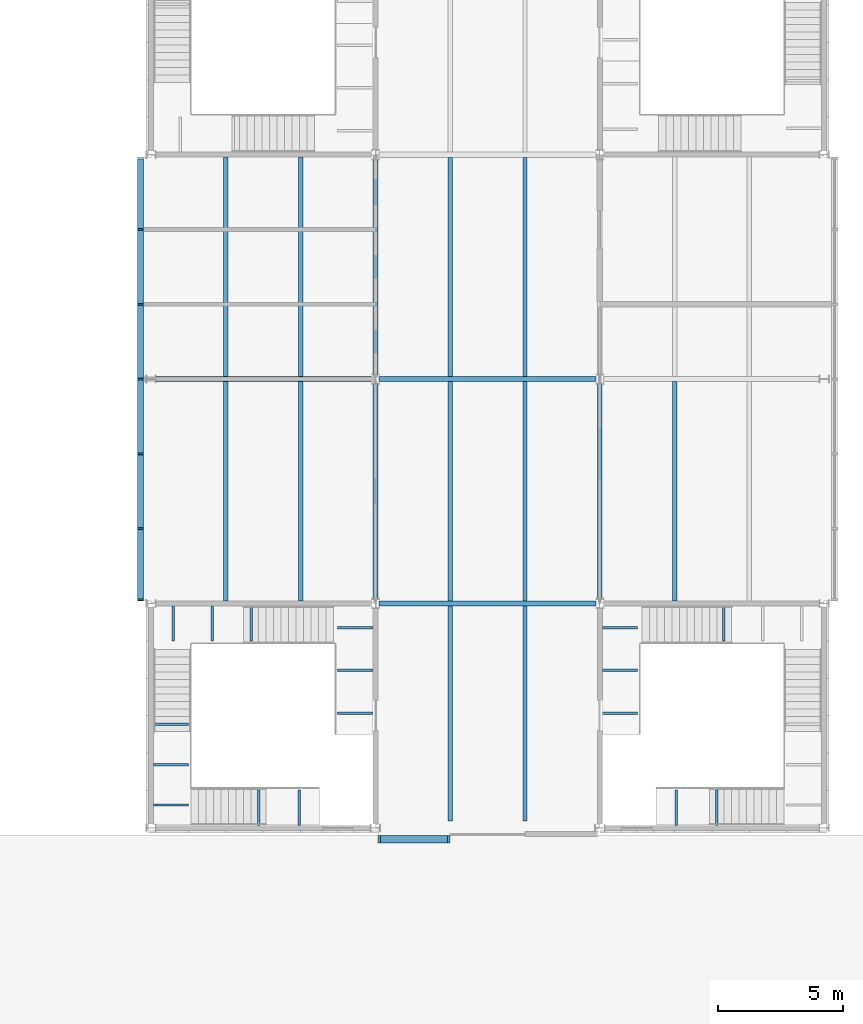
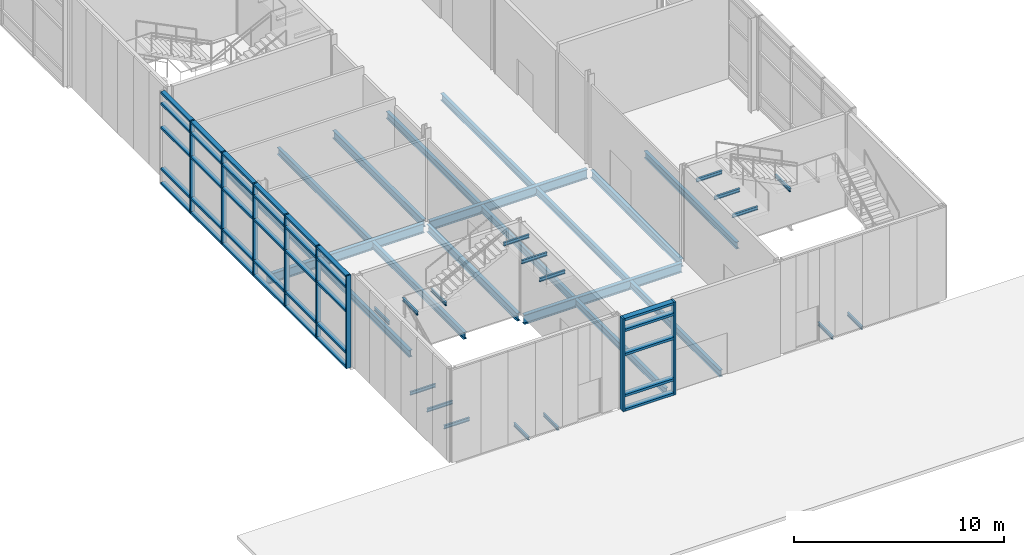
# One storey, part 8 of 56: 43 members, 34 beams, 2 elements without a shape of their own.
"""IFC4 building model written with IfcOpenShell, lengths in metres."""

from ifc_helpers import new_model, si_unit, direction, frame, origin, origin_2d, place, context, subcontext, project, spatial, rectangle, i_section, extrude, material, material_profile, profile_set, type_object, element, aggregate, save


model = new_model("IFC4")

# Units and contexts
model_context = context("Model", 3, precision=1e-05, world=origin(), true_north=direction((0.0, 1.0)))
body_context = subcontext(model_context, "Body", "Model", "MODEL_VIEW")
ifc_project = project(units=[si_unit("LENGTHUNIT", "METRE"), si_unit("AREAUNIT", "SQUARE_METRE"), si_unit("VOLUMEUNIT", "CUBIC_METRE"), si_unit("PLANEANGLEUNIT", "RADIAN"), si_unit("MASSUNIT", "GRAM", prefix="KILO")], contexts=[model_context])

# Site, building, storey
site_placement = place(None, origin())
site = spatial("IfcSite", under=ifc_project, at=site_placement, CompositionType="ELEMENT")
building_placement = place(site_placement, origin())
building = spatial("IfcBuilding", under=site, at=building_placement, Name="Azimuth Sports and Learning Centre", CompositionType="ELEMENT")
storey_placement = place(building_placement, frame((0.0, 0.0, 5.39990234375)))
storey = spatial("IfcBuildingStorey", under=building, at=storey_placement, Name="L01", CompositionType="ELEMENT", Elevation=5.39990234375)

# Beams
ifc_material_1 = material(Name="Steel S355", Category="steel")
ifc_material_profile_1 = material_profile(ifc_material_1, i_section(OverallWidth=0.10009765625, OverallDepth=0.199951171875, WebThickness=0.005615234375, FlangeThickness=0.008544921875, FilletRadius=0.011962890625, at=origin_2d()), Name="IPE 200")
ifc_profile_set_1 = profile_set([ifc_material_profile_1], Name="Steel S355")
beam_type_1 = type_object("IfcBeamType", Name="Beam IPE 200", PredefinedType="BEAM", material=ifc_profile_set_1)
for number, where, z_axis, x_axis, name in (
    (1, (76.320068359375, 0.10009765625, -0.2998046875), (0.0, 1.0, 0.0), (-1.0, 0.0, 0.0), "Landing bracket ST1 L01 993"),
    (2, (77.93994140625, 0.10009765625, -0.2998046875), (0.0, 1.0, 0.0), (-1.0, 0.0, 0.0), "Landing bracket ST1 L01 994"),
    (3, (72.10009765625, 0.918212890625, 1.35009765625), (1.0, 0.0, 0.0), (0.0, 1.0, 0.0), "Landing bracket ST1 L01 995"),
    (4, (72.10009765625, 2.534912109375, 1.35009765625), (1.0, 0.0, 0.0), (0.0, 1.0, 0.0), "Landing bracket ST1 L01 996"),
    (5, (72.10009765625, 4.151611328125, 1.35009765625), (1.0, 0.0, 0.0), (0.0, 1.0, 0.0), "Landing bracket ST1 L01 997"),
    (6, (72.893310546875, 8.89990234375, 3.150146484375), (0.0, -1.0, 0.0), (1.0, 0.0, 0.0), "Landing bracket ST1 L01 998"),
    (7, (74.4599609375, 8.89990234375, 3.150146484375), (0.0, -1.0, 0.0), (1.0, 0.0, 0.0), "Landing bracket ST1 L01 999"),
    (8, (76.026611328125, 8.89990234375, 3.150146484375), (0.0, -1.0, 0.0), (1.0, 0.0, 0.0), "Landing bracket ST1 L01 1000"),
    (9, (80.89990234375, 4.606689453125, 5.10009765625), (-1.0, 0.0, 0.0), (0.0, -1.0, 0.0), "Landing bracket ST1 L01 1001"),
    (10, (80.89990234375, 6.320068359375, 5.10009765625), (-1.0, 0.0, 0.0), (0.0, -1.0, 0.0), "Landing bracket ST1 L01 1002"),
    (11, (80.89990234375, 8.033447265625, 5.10009765625), (-1.0, 0.0, 0.0), (0.0, -1.0, 0.0), "Landing bracket ST1 L01 1003"),
    (12, (93.06005859375, 0.10009765625, -0.2998046875), (0.0, 1.0, 0.0), (-1.0, 0.0, 0.0), "Landing bracket ST2 L01 1030"),
    (13, (94.679931640625, 0.10009765625, -0.2998046875), (0.0, 1.0, 0.0), (-1.0, 0.0, 0.0), "Landing bracket ST2 L01 1031"),
    (14, (94.973388671875, 8.89990234375, 3.150146484375), (0.0, -1.0, 0.0), (1.0, 0.0, 0.0), "Landing bracket ST2 L01 1035"),
    (15, (90.10009765625, 4.606689453125, 5.10009765625), (1.0, 0.0, 0.0), (0.0, 1.0, 0.0), "Landing bracket ST2 L01 1038"),
    (16, (90.10009765625, 6.320068359375, 5.10009765625), (1.0, 0.0, 0.0), (0.0, 1.0, 0.0), "Landing bracket ST2 L01 1039"),
    (17, (90.10009765625, 8.033447265625, 5.10009765625), (1.0, 0.0, 0.0), (0.0, 1.0, 0.0), "Landing bracket ST2 L01 1040"),
):
    element("IfcBeam", number, at=place(storey_placement, frame(where, z_axis=z_axis, x_axis=x_axis)), inside=storey, type_object=beam_type_1, Name=name, PredefinedType="BEAM", context=body_context, shape_type="SweptSolid", body=[
        extrude(i_section(OverallWidth=0.10009765625, OverallDepth=0.199951171875, WebThickness=0.005615234375, FlangeThickness=0.008544921875, FilletRadius=0.011962890625, at=origin_2d()), origin(), (0.0, 0.0, 1.0), 1.409912109375),
    ])
ifc_material_2 = material(Name="Steel S355", Category="steel")
ifc_material_profile_2 = material_profile(ifc_material_2, i_section(OverallWidth=0.18994140625, OverallDepth=0.449951171875, WebThickness=0.009521484375, FlangeThickness=0.0146484375, FilletRadius=0.02099609375, at=origin_2d()), Name="IPE 450")
ifc_profile_set_2 = profile_set([ifc_material_profile_2], Name="Steel S355")
beam_type_2 = type_object("IfcBeamType", Name="Beam IPE 450", PredefinedType="BEAM", material=ifc_profile_set_2)
for number, where, z_axis, x_axis, name in (
    (18, (81.0, 9.199951171875, -0.375), (0.0, 1.0, 0.0), (-1.0, 0.0, 0.0), "Beam L01 ST 24"),
    (19, (81.0, 18.199951171875, -0.375), (0.0, 1.0, 0.0), (-1.0, 0.0, 0.0), "Beam L01 ST 25"),
    (20, (90.0, 9.199951171875, -0.375), (0.0, 1.0, 0.0), (-1.0, 0.0, 0.0), "Beam L01 ST 30"),
):
    element("IfcBeam", number, at=place(storey_placement, frame(where, z_axis=z_axis, x_axis=x_axis)), inside=storey, type_object=beam_type_2, Name=name, PredefinedType="BEAM", context=body_context, shape_type="SweptSolid", body=[
        extrude(i_section(OverallWidth=0.18994140625, OverallDepth=0.449951171875, WebThickness=0.009521484375, FlangeThickness=0.0146484375, FilletRadius=0.02099609375, at=origin_2d()), origin(), (0.0, 0.0, 1.0), 8.60009765625),
    ])
ifc_material_3 = material(Name="Steel S355", Category="steel")
ifc_material_profile_3 = material_profile(ifc_material_3, i_section(OverallWidth=0.2099609375, OverallDepth=0.550048828125, WebThickness=0.010986328125, FlangeThickness=0.01708984375, FilletRadius=0.02392578125, at=origin_2d()), Name="IPE 550")
ifc_profile_set_3 = profile_set([ifc_material_profile_3], Name="Steel S355")
beam_type_3 = type_object("IfcBeamType", Name="Beam IPE 550", PredefinedType="BEAM", material=ifc_profile_set_3)
beam_1_placement = place(storey_placement, frame((81.14990234375, 9.0, -0.4248046875), z_axis=(1.0, 0.0, 0.0), x_axis=(0.0, 1.0, 0.0)))
element("IfcBeam", 21, at=beam_1_placement, inside=storey, type_object=beam_type_3, Name="Beam L01 ST 1", PredefinedType="BEAM", context=body_context, shape_type="SweptSolid", body=[
    extrude(i_section(OverallWidth=0.2099609375, OverallDepth=0.550048828125, WebThickness=0.010986328125, FlangeThickness=0.01708984375, FilletRadius=0.02392578125, at=origin_2d()), origin(), (0.0, 0.0, 1.0), 8.7001953125),
])
beam_2_placement = place(storey_placement, frame((72.199951171875, 18.0, -0.4248046875), z_axis=(1.0, 0.0, 0.0), x_axis=(0.0, 1.0, 0.0)))
element("IfcBeam", 22, at=beam_2_placement, inside=storey, type_object=beam_type_3, Name="Beam L01 ST 2", PredefinedType="BEAM", context=body_context, shape_type="SweptSolid", body=[
    extrude(i_section(OverallWidth=0.2099609375, OverallDepth=0.550048828125, WebThickness=0.010986328125, FlangeThickness=0.01708984375, FilletRadius=0.02392578125, at=origin_2d()), origin(), (0.0, 0.0, 1.0), 8.650146484375),
])
beam_3_placement = place(storey_placement, frame((81.14990234375, 18.0, -0.4248046875), z_axis=(1.0, 0.0, 0.0), x_axis=(0.0, 1.0, 0.0)))
element("IfcBeam", 23, at=beam_3_placement, inside=storey, type_object=beam_type_3, Name="Beam L01 ST 3", PredefinedType="BEAM", context=body_context, shape_type="SweptSolid", body=[
    extrude(i_section(OverallWidth=0.2099609375, OverallDepth=0.550048828125, WebThickness=0.010986328125, FlangeThickness=0.01708984375, FilletRadius=0.02392578125, at=origin_2d()), origin(), (0.0, 0.0, 1.0), 8.7001953125),
])
ifc_material_4 = material(Name="Steel S355", Category="steel")
ifc_material_profile_4 = material_profile(ifc_material_4, i_section(OverallWidth=0.179931640625, OverallDepth=0.39990234375, WebThickness=0.008544921875, FlangeThickness=0.013427734375, FilletRadius=0.02099609375, at=origin_2d()), Name="IPE 400")
ifc_profile_set_4 = profile_set([ifc_material_profile_4], Name="Steel S355")
beam_type_4 = type_object("IfcBeamType", Name="Joist IPE 400", PredefinedType="JOIST", material=ifc_profile_set_4)
for number, where, z_axis, x_axis, name in (
    (24, (75.0, 9.10009765625, -0.349853515625), (0.0, 1.0, 0.0), (-1.0, 0.0, 0.0), "Joist L01 ST 39"),
    (25, (75.0, 18.10498046875, -0.349853515625), (0.0, 1.0, 0.0), (-1.0, 0.0, 0.0), "Joist L01 ST 40"),
    (26, (78.0, 9.10009765625, -0.349853515625), (0.0, 1.0, 0.0), (-1.0, 0.0, 0.0), "Joist L01 ST 47"),
    (27, (78.0, 18.10498046875, -0.349853515625), (0.0, 1.0, 0.0), (-1.0, 0.0, 0.0), "Joist L01 ST 48"),
):
    element("IfcBeam", number, at=place(storey_placement, frame(where, z_axis=z_axis, x_axis=x_axis)), inside=storey, type_object=beam_type_4, Name=name, PredefinedType="JOIST", context=body_context, shape_type="SweptSolid", body=[
        extrude(i_section(OverallWidth=0.179931640625, OverallDepth=0.39990234375, WebThickness=0.008544921875, FlangeThickness=0.013427734375, FilletRadius=0.02099609375, at=origin_2d()), origin(), (0.0, 0.0, 1.0), 8.794921875),
    ])
beam_4_placement = place(storey_placement, frame((84.0, 0.27490234375, -0.349853515625), z_axis=(0.0, 1.0, 0.0), x_axis=(-1.0, 0.0, 0.0)))
element("IfcBeam", 28, at=beam_4_placement, inside=storey, type_object=beam_type_4, Name="Joist L01 ST 55", PredefinedType="JOIST", context=body_context, shape_type="SweptSolid", body=[
    extrude(i_section(OverallWidth=0.179931640625, OverallDepth=0.39990234375, WebThickness=0.008544921875, FlangeThickness=0.013427734375, FilletRadius=0.02099609375, at=origin_2d()), origin(), (0.0, 0.0, 1.0), 8.6201171875),
])
for number, where, z_axis, x_axis, name in (
    (29, (84.0, 9.10498046875, -0.349853515625), (0.0, 1.0, 0.0), (-1.0, 0.0, 0.0), "Joist L01 ST 56"),
    (30, (84.0, 18.10498046875, -0.349853515625), (0.0, 1.0, 0.0), (-1.0, 0.0, 0.0), "Joist L01 ST 57"),
):
    element("IfcBeam", number, at=place(storey_placement, frame(where, z_axis=z_axis, x_axis=x_axis)), inside=storey, type_object=beam_type_4, Name=name, PredefinedType="JOIST", context=body_context, shape_type="SweptSolid", body=[
        extrude(i_section(OverallWidth=0.179931640625, OverallDepth=0.39990234375, WebThickness=0.008544921875, FlangeThickness=0.013427734375, FilletRadius=0.02099609375, at=origin_2d()), origin(), (0.0, 0.0, 1.0), 8.7900390625),
    ])
beam_5_placement = place(storey_placement, frame((87.0, 0.27490234375, -0.349853515625), z_axis=(0.0, 1.0, 0.0), x_axis=(-1.0, 0.0, 0.0)))
element("IfcBeam", 31, at=beam_5_placement, inside=storey, type_object=beam_type_4, Name="Joist L01 ST 61", PredefinedType="JOIST", context=body_context, shape_type="SweptSolid", body=[
    extrude(i_section(OverallWidth=0.179931640625, OverallDepth=0.39990234375, WebThickness=0.008544921875, FlangeThickness=0.013427734375, FilletRadius=0.02099609375, at=origin_2d()), origin(), (0.0, 0.0, 1.0), 8.6201171875),
])
for number, where, z_axis, x_axis, name in (
    (32, (87.0, 9.10498046875, -0.349853515625), (0.0, 1.0, 0.0), (-1.0, 0.0, 0.0), "Joist L01 ST 62"),
    (33, (87.0, 18.10498046875, -0.349853515625), (0.0, 1.0, 0.0), (-1.0, 0.0, 0.0), "Joist L01 ST 63"),
):
    element("IfcBeam", number, at=place(storey_placement, frame(where, z_axis=z_axis, x_axis=x_axis)), inside=storey, type_object=beam_type_4, Name=name, PredefinedType="JOIST", context=body_context, shape_type="SweptSolid", body=[
        extrude(i_section(OverallWidth=0.179931640625, OverallDepth=0.39990234375, WebThickness=0.008544921875, FlangeThickness=0.013427734375, FilletRadius=0.02099609375, at=origin_2d()), origin(), (0.0, 0.0, 1.0), 8.7900390625),
    ])
beam_6_placement = place(storey_placement, frame((93.0, 9.10009765625, -0.349853515625), z_axis=(0.0, 1.0, 0.0), x_axis=(-1.0, 0.0, 0.0)))
element("IfcBeam", 34, at=beam_6_placement, inside=storey, type_object=beam_type_4, Name="Joist L01 ST 67", PredefinedType="JOIST", context=body_context, shape_type="SweptSolid", body=[
    extrude(i_section(OverallWidth=0.179931640625, OverallDepth=0.39990234375, WebThickness=0.008544921875, FlangeThickness=0.013427734375, FilletRadius=0.02099609375, at=origin_2d()), origin(), (0.0, 0.0, 1.0), 8.794921875),
])

# Curtain wall, members
ifc_material_5 = material(Name="Aluminium and glass", Category="aluminium")
curtain_wall_type_1 = type_object("IfcCurtainWallType", Name="Curtain wall podium front 300", PredefinedType="NOTDEFINED", material=ifc_material_5)
curtain_wall_1_placement = place(storey_placement, origin())
curtain_wall_1 = element("IfcCurtainWall", 35, at=curtain_wall_1_placement, inside=storey, type_object=curtain_wall_type_1, Name="Curtain wall CW01-005", PredefinedType="NOTDEFINED")
ifc_material_6 = material(Name="Aluminium", Category="aluminium")
ifc_material_profile_5 = material_profile(ifc_material_6, rectangle(XDim=0.300048828125, YDim=0.10009765625, at=origin_2d()), Name="Mullion 100x300")
ifc_profile_set_5 = profile_set([ifc_material_profile_5], Name="Aluminium")
member_type_1 = type_object("IfcMemberType", Name="Mullion 100x300", PredefinedType="MULLION", material=ifc_profile_set_5)
member_1_placement = place(storey_placement, frame((81.14990234375, -0.449951171875, 0.0), z_axis=(0.0, 0.0, 1.0), x_axis=(0.0, 1.0, 0.0)))
member_1 = element("IfcMember", 36, at=member_1_placement, type_object=member_type_1, Name="CW01-005 mullion 1", PredefinedType="MULLION", context=body_context, shape_type="SweptSolid", body=[
    extrude(rectangle(XDim=0.300048828125, YDim=0.10009765625, at=origin_2d()), origin(), (0.0, 0.0, 1.0), 5.400146484375),
])
member_2_placement = place(storey_placement, frame((83.949951171875, -0.449951171875, 0.0), z_axis=(0.0, 0.0, 1.0), x_axis=(0.0, 1.0, 0.0)))
member_2 = element("IfcMember", 37, at=member_2_placement, type_object=member_type_1, Name="CW01-005 mullion 2", PredefinedType="MULLION", context=body_context, shape_type="SweptSolid", body=[
    extrude(rectangle(XDim=0.300048828125, YDim=0.10009765625, at=origin_2d()), origin(), (0.0, 0.0, 1.0), 5.400146484375),
])

ifc_material_7 = material(Name="Aluminium and glass", Category="aluminium")
curtain_wall_type_2 = type_object("IfcCurtainWallType", Name="Curtain wall podium stem 240", PredefinedType="NOTDEFINED", material=ifc_material_7)
curtain_wall_2_placement = place(storey_placement, origin())
curtain_wall_2 = element("IfcCurtainWall", 38, at=curtain_wall_2_placement, inside=storey, type_object=curtain_wall_type_2, Name="Curtain wall CW01-004", PredefinedType="NOTDEFINED")
ifc_material_8 = material(Name="Aluminium", Category="aluminium")
ifc_material_profile_6 = material_profile(ifc_material_8, rectangle(XDim=0.239990234375, YDim=0.080078125, at=origin_2d()), Name="Mullion 80x240")
ifc_profile_set_6 = profile_set([ifc_material_profile_6], Name="Aluminium")
member_type_2 = type_object("IfcMemberType", Name="Mullion 80x240", PredefinedType="MULLION", material=ifc_profile_set_6)
member_3_placement = place(storey_placement, frame((71.580078125, 24.0, 0.0), z_axis=(0.0, 0.0, 1.0), x_axis=(1.0, 0.0, 0.0)))
member_3 = element("IfcMember", 39, at=member_3_placement, type_object=member_type_2, Name="CW01-004 mullion 2", PredefinedType="MULLION", context=body_context, shape_type="SweptSolid", body=[
    extrude(rectangle(XDim=0.239990234375, YDim=0.080078125, at=origin_2d()), origin(), (0.0, 0.0, 1.0), 5.400146484375),
])
member_4_placement = place(storey_placement, frame((71.580078125, 21.0, 0.0), z_axis=(0.0, 0.0, 1.0), x_axis=(1.0, 0.0, 0.0)))
member_4 = element("IfcMember", 40, at=member_4_placement, type_object=member_type_2, Name="CW01-004 mullion 3", PredefinedType="MULLION", context=body_context, shape_type="SweptSolid", body=[
    extrude(rectangle(XDim=0.239990234375, YDim=0.080078125, at=origin_2d()), origin(), (0.0, 0.0, 1.0), 5.400146484375),
])
member_5_placement = place(storey_placement, frame((71.580078125, 18.0, 0.0), z_axis=(0.0, 0.0, 1.0), x_axis=(1.0, 0.0, 0.0)))
member_5 = element("IfcMember", 41, at=member_5_placement, type_object=member_type_2, Name="CW01-004 mullion 4", PredefinedType="MULLION", context=body_context, shape_type="SweptSolid", body=[
    extrude(rectangle(XDim=0.239990234375, YDim=0.080078125, at=origin_2d()), origin(), (0.0, 0.0, 1.0), 5.400146484375),
])
member_6_placement = place(storey_placement, frame((71.580078125, 15.0, 0.0), z_axis=(0.0, 0.0, 1.0), x_axis=(1.0, 0.0, 0.0)))
member_6 = element("IfcMember", 42, at=member_6_placement, type_object=member_type_2, Name="CW01-004 mullion 5", PredefinedType="MULLION", context=body_context, shape_type="SweptSolid", body=[
    extrude(rectangle(XDim=0.239990234375, YDim=0.080078125, at=origin_2d()), origin(), (0.0, 0.0, 1.0), 5.400146484375),
])
member_7_placement = place(storey_placement, frame((71.580078125, 12.0, 0.0), z_axis=(0.0, 0.0, 1.0), x_axis=(1.0, 0.0, 0.0)))
member_7 = element("IfcMember", 43, at=member_7_placement, type_object=member_type_2, Name="CW01-004 mullion 6", PredefinedType="MULLION", context=body_context, shape_type="SweptSolid", body=[
    extrude(rectangle(XDim=0.239990234375, YDim=0.080078125, at=origin_2d()), origin(), (0.0, 0.0, 1.0), 5.400146484375),
])
member_8_placement = place(storey_placement, frame((71.580078125, 9.139892578125, 0.0), z_axis=(0.0, 0.0, 1.0), x_axis=(1.0, 0.0, 0.0)))
member_8 = element("IfcMember", 44, at=member_8_placement, type_object=member_type_2, Name="CW01-004 mullion 7", PredefinedType="MULLION", context=body_context, shape_type="SweptSolid", body=[
    extrude(rectangle(XDim=0.239990234375, YDim=0.080078125, at=origin_2d()), origin(), (0.0, 0.0, 1.0), 5.400146484375),
])
ifc_material_9 = material(Name="Aluminium", Category="aluminium")
ifc_material_profile_7 = material_profile(ifc_material_9, rectangle(XDim=0.239990234375, YDim=0.1201171875, at=origin_2d()), Name="Transom 120x240")
ifc_profile_set_7 = profile_set([ifc_material_profile_7], Name="Aluminium")
member_type_3 = type_object("IfcMemberType", Name="Transom 120x240", PredefinedType="USERDEFINED", material=ifc_profile_set_7)
member_9_placement = place(storey_placement, frame((71.580078125, 26.820068359375, 0.06005859375), z_axis=(0.0, -1.0, 0.0), x_axis=(1.0, 0.0, 0.0)))
member_9 = element("IfcMember", 45, at=member_9_placement, type_object=member_type_3, Name="CW01-004 transom 1.1", ObjectType="TRANSOM", PredefinedType="USERDEFINED", context=body_context, shape_type="SweptSolid", body=[
    extrude(rectangle(XDim=0.239990234375, YDim=0.1201171875, at=origin_2d()), origin(), (0.0, 0.0, 1.0), 2.780029296875),
])
member_10_placement = place(storey_placement, frame((71.580078125, 26.820068359375, 0.900146484375), z_axis=(0.0, -1.0, 0.0), x_axis=(1.0, 0.0, 0.0)))
member_10 = element("IfcMember", 46, at=member_10_placement, type_object=member_type_3, Name="CW01-004 transom 1.2", ObjectType="TRANSOM", PredefinedType="USERDEFINED", context=body_context, shape_type="SweptSolid", body=[
    extrude(rectangle(XDim=0.239990234375, YDim=0.1201171875, at=origin_2d()), origin(), (0.0, 0.0, 1.0), 2.780029296875),
])
member_11_placement = place(storey_placement, frame((71.580078125, 26.820068359375, 3.300048828125), z_axis=(0.0, -1.0, 0.0), x_axis=(1.0, 0.0, 0.0)))
member_11 = element("IfcMember", 47, at=member_11_placement, type_object=member_type_3, Name="CW01-004 transom 1.3", ObjectType="TRANSOM", PredefinedType="USERDEFINED", context=body_context, shape_type="SweptSolid", body=[
    extrude(rectangle(XDim=0.239990234375, YDim=0.1201171875, at=origin_2d()), origin(), (0.0, 0.0, 1.0), 2.780029296875),
])
member_12_placement = place(storey_placement, frame((71.580078125, 26.820068359375, 4.7001953125), z_axis=(0.0, -1.0, 0.0), x_axis=(1.0, 0.0, 0.0)))
member_12 = element("IfcMember", 48, at=member_12_placement, type_object=member_type_3, Name="CW01-004 transom 1.4", ObjectType="TRANSOM", PredefinedType="USERDEFINED", context=body_context, shape_type="SweptSolid", body=[
    extrude(rectangle(XDim=0.239990234375, YDim=0.1201171875, at=origin_2d()), origin(), (0.0, 0.0, 1.0), 2.780029296875),
])
member_13_placement = place(storey_placement, frame((71.580078125, 26.820068359375, 5.340087890625), z_axis=(0.0, -1.0, 0.0), x_axis=(1.0, 0.0, 0.0)))
member_13 = element("IfcMember", 49, at=member_13_placement, type_object=member_type_3, Name="CW01-004 transom 1.5", ObjectType="TRANSOM", PredefinedType="USERDEFINED", context=body_context, shape_type="SweptSolid", body=[
    extrude(rectangle(XDim=0.239990234375, YDim=0.1201171875, at=origin_2d()), origin(), (0.0, 0.0, 1.0), 2.780029296875),
])
member_14_placement = place(storey_placement, frame((71.580078125, 23.9599609375, 0.06005859375), z_axis=(0.0, -1.0, 0.0), x_axis=(1.0, 0.0, 0.0)))
member_14 = element("IfcMember", 50, at=member_14_placement, type_object=member_type_3, Name="CW01-004 transom 2.1", ObjectType="TRANSOM", PredefinedType="USERDEFINED", context=body_context, shape_type="SweptSolid", body=[
    extrude(rectangle(XDim=0.239990234375, YDim=0.1201171875, at=origin_2d()), origin(), (0.0, 0.0, 1.0), 2.919921875),
])
member_15_placement = place(storey_placement, frame((71.580078125, 23.9599609375, 0.900146484375), z_axis=(0.0, -1.0, 0.0), x_axis=(1.0, 0.0, 0.0)))
member_15 = element("IfcMember", 51, at=member_15_placement, type_object=member_type_3, Name="CW01-004 transom 2.2", ObjectType="TRANSOM", PredefinedType="USERDEFINED", context=body_context, shape_type="SweptSolid", body=[
    extrude(rectangle(XDim=0.239990234375, YDim=0.1201171875, at=origin_2d()), origin(), (0.0, 0.0, 1.0), 2.919921875),
])
member_16_placement = place(storey_placement, frame((71.580078125, 23.9599609375, 3.300048828125), z_axis=(0.0, -1.0, 0.0), x_axis=(1.0, 0.0, 0.0)))
member_16 = element("IfcMember", 52, at=member_16_placement, type_object=member_type_3, Name="CW01-004 transom 2.3", ObjectType="TRANSOM", PredefinedType="USERDEFINED", context=body_context, shape_type="SweptSolid", body=[
    extrude(rectangle(XDim=0.239990234375, YDim=0.1201171875, at=origin_2d()), origin(), (0.0, 0.0, 1.0), 2.919921875),
])
member_17_placement = place(storey_placement, frame((71.580078125, 23.9599609375, 4.7001953125), z_axis=(0.0, -1.0, 0.0), x_axis=(1.0, 0.0, 0.0)))
member_17 = element("IfcMember", 53, at=member_17_placement, type_object=member_type_3, Name="CW01-004 transom 2.4", ObjectType="TRANSOM", PredefinedType="USERDEFINED", context=body_context, shape_type="SweptSolid", body=[
    extrude(rectangle(XDim=0.239990234375, YDim=0.1201171875, at=origin_2d()), origin(), (0.0, 0.0, 1.0), 2.919921875),
])
member_18_placement = place(storey_placement, frame((71.580078125, 23.9599609375, 5.340087890625), z_axis=(0.0, -1.0, 0.0), x_axis=(1.0, 0.0, 0.0)))
member_18 = element("IfcMember", 54, at=member_18_placement, type_object=member_type_3, Name="CW01-004 transom 2.5", ObjectType="TRANSOM", PredefinedType="USERDEFINED", context=body_context, shape_type="SweptSolid", body=[
    extrude(rectangle(XDim=0.239990234375, YDim=0.1201171875, at=origin_2d()), origin(), (0.0, 0.0, 1.0), 2.919921875),
])
member_19_placement = place(storey_placement, frame((71.580078125, 20.9599609375, 0.06005859375), z_axis=(0.0, -1.0, 0.0), x_axis=(1.0, 0.0, 0.0)))
member_19 = element("IfcMember", 55, at=member_19_placement, type_object=member_type_3, Name="CW01-004 transom 3.1", ObjectType="TRANSOM", PredefinedType="USERDEFINED", context=body_context, shape_type="SweptSolid", body=[
    extrude(rectangle(XDim=0.239990234375, YDim=0.1201171875, at=origin_2d()), origin(), (0.0, 0.0, 1.0), 2.919921875),
])
member_20_placement = place(storey_placement, frame((71.580078125, 20.9599609375, 0.900146484375), z_axis=(0.0, -1.0, 0.0), x_axis=(1.0, 0.0, 0.0)))
member_20 = element("IfcMember", 56, at=member_20_placement, type_object=member_type_3, Name="CW01-004 transom 3.2", ObjectType="TRANSOM", PredefinedType="USERDEFINED", context=body_context, shape_type="SweptSolid", body=[
    extrude(rectangle(XDim=0.239990234375, YDim=0.1201171875, at=origin_2d()), origin(), (0.0, 0.0, 1.0), 2.919921875),
])
member_21_placement = place(storey_placement, frame((71.580078125, 20.9599609375, 3.300048828125), z_axis=(0.0, -1.0, 0.0), x_axis=(1.0, 0.0, 0.0)))
member_21 = element("IfcMember", 57, at=member_21_placement, type_object=member_type_3, Name="CW01-004 transom 3.3", ObjectType="TRANSOM", PredefinedType="USERDEFINED", context=body_context, shape_type="SweptSolid", body=[
    extrude(rectangle(XDim=0.239990234375, YDim=0.1201171875, at=origin_2d()), origin(), (0.0, 0.0, 1.0), 2.919921875),
])
member_22_placement = place(storey_placement, frame((71.580078125, 20.9599609375, 4.7001953125), z_axis=(0.0, -1.0, 0.0), x_axis=(1.0, 0.0, 0.0)))
member_22 = element("IfcMember", 58, at=member_22_placement, type_object=member_type_3, Name="CW01-004 transom 3.4", ObjectType="TRANSOM", PredefinedType="USERDEFINED", context=body_context, shape_type="SweptSolid", body=[
    extrude(rectangle(XDim=0.239990234375, YDim=0.1201171875, at=origin_2d()), origin(), (0.0, 0.0, 1.0), 2.919921875),
])
member_23_placement = place(storey_placement, frame((71.580078125, 20.9599609375, 5.340087890625), z_axis=(0.0, -1.0, 0.0), x_axis=(1.0, 0.0, 0.0)))
member_23 = element("IfcMember", 59, at=member_23_placement, type_object=member_type_3, Name="CW01-004 transom 3.5", ObjectType="TRANSOM", PredefinedType="USERDEFINED", context=body_context, shape_type="SweptSolid", body=[
    extrude(rectangle(XDim=0.239990234375, YDim=0.1201171875, at=origin_2d()), origin(), (0.0, 0.0, 1.0), 2.919921875),
])
member_24_placement = place(storey_placement, frame((71.580078125, 17.9599609375, 0.06005859375), z_axis=(0.0, -1.0, 0.0), x_axis=(1.0, 0.0, 0.0)))
member_24 = element("IfcMember", 60, at=member_24_placement, type_object=member_type_3, Name="CW01-004 transom 4.1", ObjectType="TRANSOM", PredefinedType="USERDEFINED", context=body_context, shape_type="SweptSolid", body=[
    extrude(rectangle(XDim=0.239990234375, YDim=0.1201171875, at=origin_2d()), origin(), (0.0, 0.0, 1.0), 2.919921875),
])
member_25_placement = place(storey_placement, frame((71.580078125, 17.9599609375, 0.900146484375), z_axis=(0.0, -1.0, 0.0), x_axis=(1.0, 0.0, 0.0)))
member_25 = element("IfcMember", 61, at=member_25_placement, type_object=member_type_3, Name="CW01-004 transom 4.2", ObjectType="TRANSOM", PredefinedType="USERDEFINED", context=body_context, shape_type="SweptSolid", body=[
    extrude(rectangle(XDim=0.239990234375, YDim=0.1201171875, at=origin_2d()), origin(), (0.0, 0.0, 1.0), 2.919921875),
])
member_26_placement = place(storey_placement, frame((71.580078125, 17.9599609375, 3.300048828125), z_axis=(0.0, -1.0, 0.0), x_axis=(1.0, 0.0, 0.0)))
member_26 = element("IfcMember", 62, at=member_26_placement, type_object=member_type_3, Name="CW01-004 transom 4.3", ObjectType="TRANSOM", PredefinedType="USERDEFINED", context=body_context, shape_type="SweptSolid", body=[
    extrude(rectangle(XDim=0.239990234375, YDim=0.1201171875, at=origin_2d()), origin(), (0.0, 0.0, 1.0), 2.919921875),
])
member_27_placement = place(storey_placement, frame((71.580078125, 17.9599609375, 4.7001953125), z_axis=(0.0, -1.0, 0.0), x_axis=(1.0, 0.0, 0.0)))
member_27 = element("IfcMember", 63, at=member_27_placement, type_object=member_type_3, Name="CW01-004 transom 4.4", ObjectType="TRANSOM", PredefinedType="USERDEFINED", context=body_context, shape_type="SweptSolid", body=[
    extrude(rectangle(XDim=0.239990234375, YDim=0.1201171875, at=origin_2d()), origin(), (0.0, 0.0, 1.0), 2.919921875),
])
member_28_placement = place(storey_placement, frame((71.580078125, 17.9599609375, 5.340087890625), z_axis=(0.0, -1.0, 0.0), x_axis=(1.0, 0.0, 0.0)))
member_28 = element("IfcMember", 64, at=member_28_placement, type_object=member_type_3, Name="CW01-004 transom 4.5", ObjectType="TRANSOM", PredefinedType="USERDEFINED", context=body_context, shape_type="SweptSolid", body=[
    extrude(rectangle(XDim=0.239990234375, YDim=0.1201171875, at=origin_2d()), origin(), (0.0, 0.0, 1.0), 2.919921875),
])
member_29_placement = place(storey_placement, frame((71.580078125, 14.9599609375, 0.06005859375), z_axis=(0.0, -1.0, 0.0), x_axis=(1.0, 0.0, 0.0)))
member_29 = element("IfcMember", 65, at=member_29_placement, type_object=member_type_3, Name="CW01-004 transom 5.1", ObjectType="TRANSOM", PredefinedType="USERDEFINED", context=body_context, shape_type="SweptSolid", body=[
    extrude(rectangle(XDim=0.239990234375, YDim=0.1201171875, at=origin_2d()), origin(), (0.0, 0.0, 1.0), 2.919921875),
])
member_30_placement = place(storey_placement, frame((71.580078125, 14.9599609375, 0.900146484375), z_axis=(0.0, -1.0, 0.0), x_axis=(1.0, 0.0, 0.0)))
member_30 = element("IfcMember", 66, at=member_30_placement, type_object=member_type_3, Name="CW01-004 transom 5.2", ObjectType="TRANSOM", PredefinedType="USERDEFINED", context=body_context, shape_type="SweptSolid", body=[
    extrude(rectangle(XDim=0.239990234375, YDim=0.1201171875, at=origin_2d()), origin(), (0.0, 0.0, 1.0), 2.919921875),
])
member_31_placement = place(storey_placement, frame((71.580078125, 14.9599609375, 3.300048828125), z_axis=(0.0, -1.0, 0.0), x_axis=(1.0, 0.0, 0.0)))
member_31 = element("IfcMember", 67, at=member_31_placement, type_object=member_type_3, Name="CW01-004 transom 5.3", ObjectType="TRANSOM", PredefinedType="USERDEFINED", context=body_context, shape_type="SweptSolid", body=[
    extrude(rectangle(XDim=0.239990234375, YDim=0.1201171875, at=origin_2d()), origin(), (0.0, 0.0, 1.0), 2.919921875),
])
member_32_placement = place(storey_placement, frame((71.580078125, 14.9599609375, 4.7001953125), z_axis=(0.0, -1.0, 0.0), x_axis=(1.0, 0.0, 0.0)))
member_32 = element("IfcMember", 68, at=member_32_placement, type_object=member_type_3, Name="CW01-004 transom 5.4", ObjectType="TRANSOM", PredefinedType="USERDEFINED", context=body_context, shape_type="SweptSolid", body=[
    extrude(rectangle(XDim=0.239990234375, YDim=0.1201171875, at=origin_2d()), origin(), (0.0, 0.0, 1.0), 2.919921875),
])
member_33_placement = place(storey_placement, frame((71.580078125, 14.9599609375, 5.340087890625), z_axis=(0.0, -1.0, 0.0), x_axis=(1.0, 0.0, 0.0)))
member_33 = element("IfcMember", 69, at=member_33_placement, type_object=member_type_3, Name="CW01-004 transom 5.5", ObjectType="TRANSOM", PredefinedType="USERDEFINED", context=body_context, shape_type="SweptSolid", body=[
    extrude(rectangle(XDim=0.239990234375, YDim=0.1201171875, at=origin_2d()), origin(), (0.0, 0.0, 1.0), 2.919921875),
])
member_34_placement = place(storey_placement, frame((71.580078125, 11.9599609375, 0.06005859375), z_axis=(0.0, -1.0, 0.0), x_axis=(1.0, 0.0, 0.0)))
member_34 = element("IfcMember", 70, at=member_34_placement, type_object=member_type_3, Name="CW01-004 transom 6.1", ObjectType="TRANSOM", PredefinedType="USERDEFINED", context=body_context, shape_type="SweptSolid", body=[
    extrude(rectangle(XDim=0.239990234375, YDim=0.1201171875, at=origin_2d()), origin(), (0.0, 0.0, 1.0), 2.780029296875),
])
member_35_placement = place(storey_placement, frame((71.580078125, 11.9599609375, 0.900146484375), z_axis=(0.0, -1.0, 0.0), x_axis=(1.0, 0.0, 0.0)))
member_35 = element("IfcMember", 71, at=member_35_placement, type_object=member_type_3, Name="CW01-004 transom 6.2", ObjectType="TRANSOM", PredefinedType="USERDEFINED", context=body_context, shape_type="SweptSolid", body=[
    extrude(rectangle(XDim=0.239990234375, YDim=0.1201171875, at=origin_2d()), origin(), (0.0, 0.0, 1.0), 2.780029296875),
])
member_36_placement = place(storey_placement, frame((71.580078125, 11.9599609375, 3.300048828125), z_axis=(0.0, -1.0, 0.0), x_axis=(1.0, 0.0, 0.0)))
member_36 = element("IfcMember", 72, at=member_36_placement, type_object=member_type_3, Name="CW01-004 transom 6.3", ObjectType="TRANSOM", PredefinedType="USERDEFINED", context=body_context, shape_type="SweptSolid", body=[
    extrude(rectangle(XDim=0.239990234375, YDim=0.1201171875, at=origin_2d()), origin(), (0.0, 0.0, 1.0), 2.780029296875),
])
member_37_placement = place(storey_placement, frame((71.580078125, 11.9599609375, 4.7001953125), z_axis=(0.0, -1.0, 0.0), x_axis=(1.0, 0.0, 0.0)))
member_37 = element("IfcMember", 73, at=member_37_placement, type_object=member_type_3, Name="CW01-004 transom 6.4", ObjectType="TRANSOM", PredefinedType="USERDEFINED", context=body_context, shape_type="SweptSolid", body=[
    extrude(rectangle(XDim=0.239990234375, YDim=0.1201171875, at=origin_2d()), origin(), (0.0, 0.0, 1.0), 2.780029296875),
])
member_38_placement = place(storey_placement, frame((71.580078125, 11.9599609375, 5.340087890625), z_axis=(0.0, -1.0, 0.0), x_axis=(1.0, 0.0, 0.0)))
member_38 = element("IfcMember", 74, at=member_38_placement, type_object=member_type_3, Name="CW01-004 transom 6.5", ObjectType="TRANSOM", PredefinedType="USERDEFINED", context=body_context, shape_type="SweptSolid", body=[
    extrude(rectangle(XDim=0.239990234375, YDim=0.1201171875, at=origin_2d()), origin(), (0.0, 0.0, 1.0), 2.780029296875),
])
aggregate(curtain_wall_2, [member_3, member_4, member_5, member_6, member_7, member_8, member_9, member_10, member_11, member_12, member_13, member_14, member_15, member_16, member_17, member_18, member_19, member_20, member_21, member_22, member_23, member_24, member_25, member_26, member_27, member_28, member_29, member_30, member_31, member_32, member_33, member_34, member_35, member_36, member_37, member_38])

# Member
ifc_material_10 = material(Name="Aluminium", Category="aluminium")
ifc_material_profile_8 = material_profile(ifc_material_10, rectangle(XDim=0.300048828125, YDim=0.139892578125, at=origin_2d()), Name="Transom 140x300")
ifc_profile_set_8 = profile_set([ifc_material_profile_8], Name="Aluminium")
member_type_4 = type_object("IfcMemberType", Name="Transom 140x300", PredefinedType="USERDEFINED", material=ifc_profile_set_8)
member_39_placement = place(storey_placement, frame((81.199951171875, -0.449951171875, 0.070068359375), z_axis=(1.0, 0.0, 0.0), x_axis=(0.0, 1.0, 0.0)))
member_39 = element("IfcMember", 75, at=member_39_placement, type_object=member_type_4, Name="CW01-005 transom 1.1", ObjectType="TRANSOM", PredefinedType="USERDEFINED", context=body_context, shape_type="SweptSolid", body=[
    extrude(rectangle(XDim=0.300048828125, YDim=0.139892578125, at=origin_2d()), origin(), (0.0, 0.0, 1.0), 2.699951171875),
])

member_40_placement = place(storey_placement, frame((81.199951171875, -0.449951171875, 0.900146484375), z_axis=(1.0, 0.0, 0.0), x_axis=(0.0, 1.0, 0.0)))
member_40 = element("IfcMember", 76, at=member_40_placement, type_object=member_type_4, Name="CW01-005 transom 1.2", ObjectType="TRANSOM", PredefinedType="USERDEFINED", context=body_context, shape_type="SweptSolid", body=[
    extrude(rectangle(XDim=0.300048828125, YDim=0.139892578125, at=origin_2d()), origin(), (0.0, 0.0, 1.0), 2.699951171875),
])

member_41_placement = place(storey_placement, frame((81.199951171875, -0.449951171875, 3.300048828125), z_axis=(1.0, 0.0, 0.0), x_axis=(0.0, 1.0, 0.0)))
member_41 = element("IfcMember", 77, at=member_41_placement, type_object=member_type_4, Name="CW01-005 transom 1.3", ObjectType="TRANSOM", PredefinedType="USERDEFINED", context=body_context, shape_type="SweptSolid", body=[
    extrude(rectangle(XDim=0.300048828125, YDim=0.139892578125, at=origin_2d()), origin(), (0.0, 0.0, 1.0), 2.699951171875),
])

member_42_placement = place(storey_placement, frame((81.199951171875, -0.449951171875, 4.7001953125), z_axis=(1.0, 0.0, 0.0), x_axis=(0.0, 1.0, 0.0)))
member_42 = element("IfcMember", 78, at=member_42_placement, type_object=member_type_4, Name="CW01-005 transom 1.4", ObjectType="TRANSOM", PredefinedType="USERDEFINED", context=body_context, shape_type="SweptSolid", body=[
    extrude(rectangle(XDim=0.300048828125, YDim=0.139892578125, at=origin_2d()), origin(), (0.0, 0.0, 1.0), 2.699951171875),
])

member_43_placement = place(storey_placement, frame((81.199951171875, -0.449951171875, 5.330078125), z_axis=(1.0, 0.0, 0.0), x_axis=(0.0, 1.0, 0.0)))
member_43 = element("IfcMember", 79, at=member_43_placement, type_object=member_type_4, Name="CW01-005 transom 1.5", ObjectType="TRANSOM", PredefinedType="USERDEFINED", context=body_context, shape_type="SweptSolid", body=[
    extrude(rectangle(XDim=0.300048828125, YDim=0.139892578125, at=origin_2d()), origin(), (0.0, 0.0, 1.0), 2.699951171875),
])

aggregate(curtain_wall_1, [member_1, member_2, member_39, member_40, member_41, member_42, member_43])

save(model, "model.ifc")
